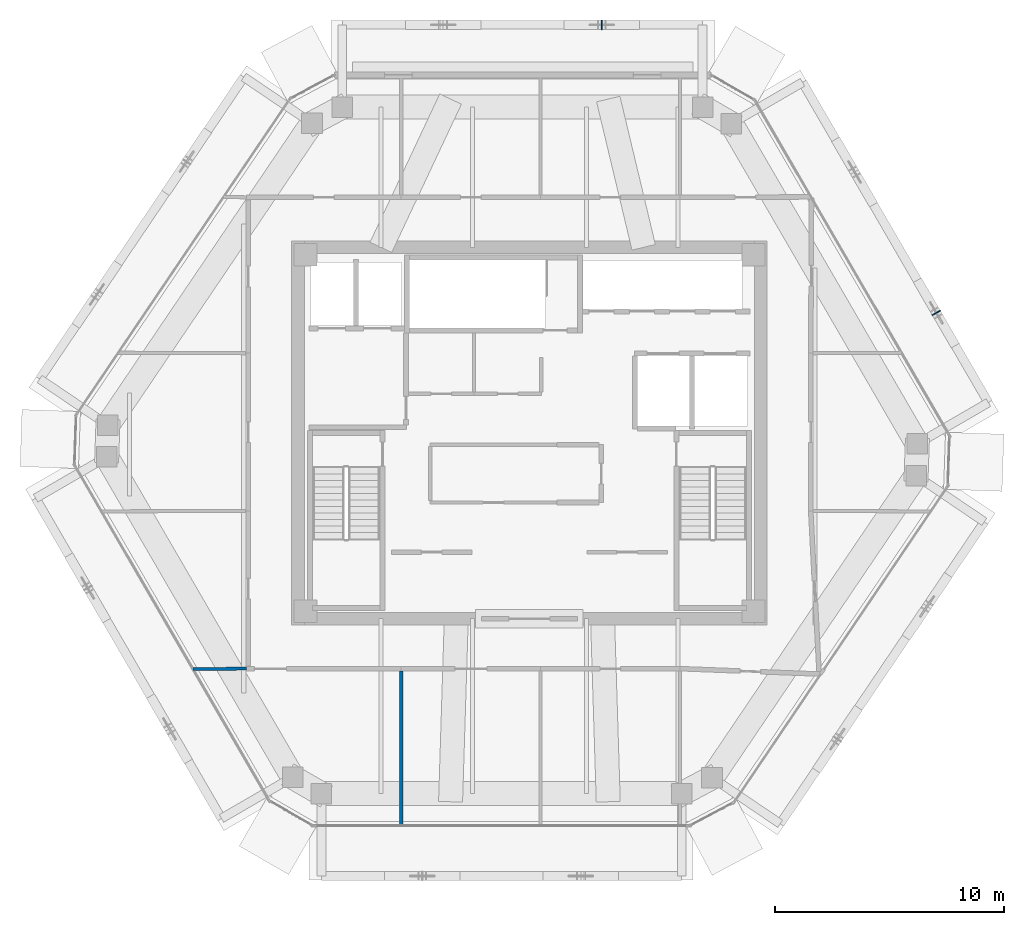
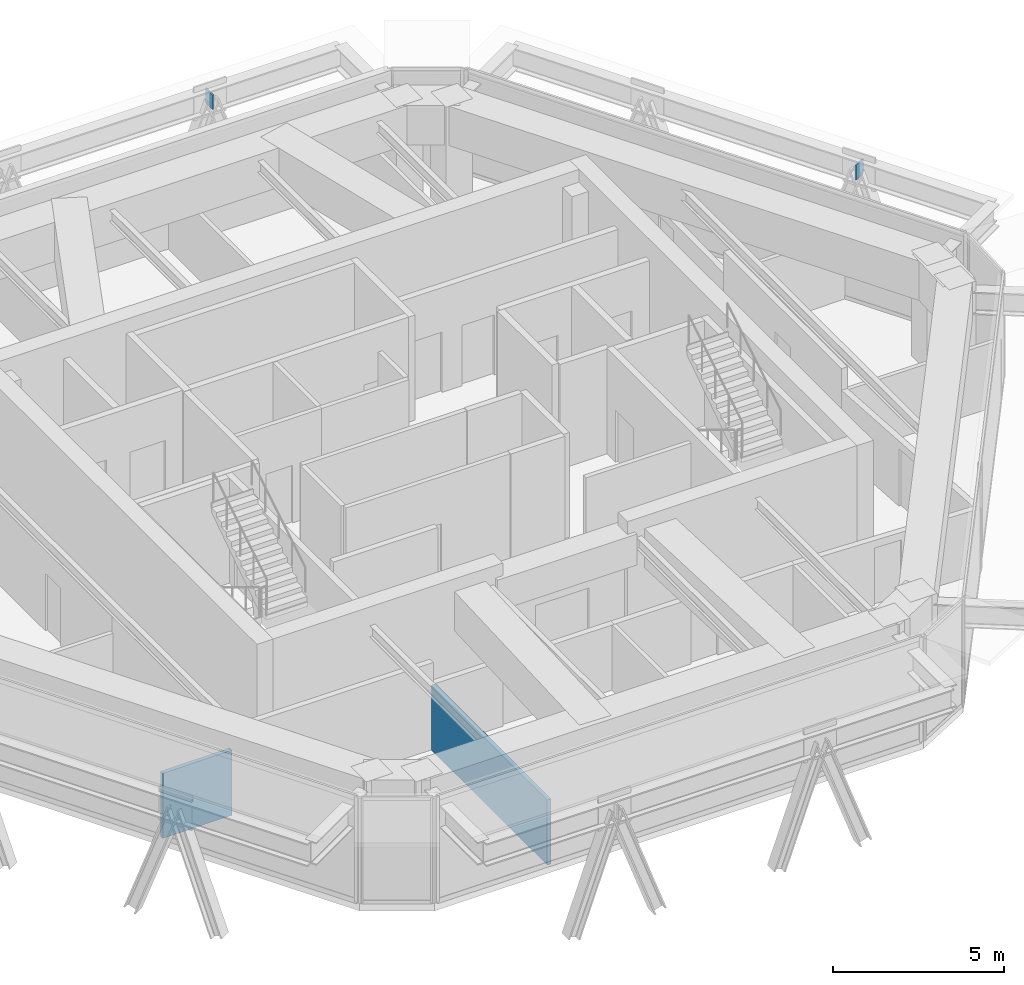
# One storey, part 9 of 13: 2 plates, 2 walls.
"""IFC4 building model written with IfcOpenShell, lengths in metres."""

from ifc_helpers import new_model, si_unit, direction, frame, frame_2d, origin, origin_2d, place, context, subcontext, project, spatial, rectangle, extrude, source, transform, mapped, material, layer, layer_set, type_object, type_shapes, element, save


model = new_model("IFC4")

# Units and contexts
model_context = context("Model", 3, precision=1e-05, world=origin(), true_north=direction((0.0, 1.0)))
body_context = subcontext(model_context, "Body", "Model", "MODEL_VIEW")
ifc_project = project(units=[si_unit("LENGTHUNIT", "METRE"), si_unit("AREAUNIT", "SQUARE_METRE"), si_unit("VOLUMEUNIT", "CUBIC_METRE"), si_unit("PLANEANGLEUNIT", "RADIAN"), si_unit("MASSUNIT", "GRAM", prefix="KILO")], contexts=[model_context])

# Site, building, storey
site_placement = place(None, origin())
site = spatial("IfcSite", under=ifc_project, at=site_placement, CompositionType="ELEMENT")
building_placement = place(site_placement, origin())
building = spatial("IfcBuilding", under=site, at=building_placement, Name="Durnholm Broadcast Tower", CompositionType="ELEMENT")
storey_placement = place(building_placement, frame((0.0, 0.0, 268.300048828125)))
storey = spatial("IfcBuildingStorey", under=building, at=storey_placement, Name="L75", CompositionType="ELEMENT", Elevation=268.300048828125)

# Plates
ifc_material_1 = material(Name="Steel ASTM A572 Grade 50", Category="steel")
ifc_layer_1 = layer(ifc_material_1, 0.044921875)
ifc_layer_set_1 = layer_set([ifc_layer_1], Name="Steel ASTM A572 Grade 50")
plate_type = type_object("IfcPlateType", Name="PLT-KN-STIF", PredefinedType="SHEET", material=ifc_layer_set_1)
shared_shape = source(origin(), body_context, "Body", "SweptSolid", [
    extrude(rectangle(XDim=0.044921875, YDim=0.419921875, at=origin_2d()), origin(), (0.0, 0.0, 1.0), 0.52001953125),
])
type_shapes(plate_type, [shared_shape])
for number, where, z_axis, x_axis, name in (
    (1, (17.806640625, 5.2548828125, 2.738525390625), (0.0, 0.0, 1.0), (-0.501963660617, 0.864888711581, 0.0), "L75 welded diagrid node stiffener plate F3"),
    (2, (3.164794921875, 17.862060546875, 2.738525390625), (0.0, 0.0, 1.0), (-1.0, 0.0, 0.0), "L75 welded diagrid node stiffener plate F4"),
):
    element("IfcPlate", number, at=place(storey_placement, frame(where, z_axis=z_axis, x_axis=x_axis)), inside=storey, type_object=plate_type, Name=name, PredefinedType="SHEET", context=body_context, shape_type="MappedRepresentation", body=[
        mapped(shared_shape, transform((0.0, 0.0, 0.0), x_axis=(1.0, 0.0, 0.0), y_axis=(0.0, 1.0, 0.0), z_axis=(0.0, 0.0, 1.0), scale=1.0)),
    ])

# Walls
ifc_material_2 = material(Name="Gypsum Metal Stud Partition", Category="concrete")
ifc_layer_2 = layer(ifc_material_2, 0.135009765625)
ifc_layer_set_2 = layer_set([ifc_layer_2], Name="Gypsum Metal Stud Partition")
wall_type = type_object("IfcWallType", Name="WALL-PART-135", PredefinedType="PARTITIONING", material=ifc_layer_set_2)
wall_1_placement = place(storey_placement, frame((-5.610107421875, -10.4140625, 0.0), z_axis=(0.0, 0.0, 1.0), x_axis=(0.0, -1.0, 0.0)))
element("IfcWall", 3, at=wall_1_placement, inside=storey, type_object=wall_type, Name="L75 room dividing partition 11.12", PredefinedType="PARTITIONING", context=body_context, shape_type="SweptSolid", body=[
    extrude(rectangle(XDim=6.77197265625, YDim=0.135009765625, at=frame_2d((3.385986328125, 0.0))), origin(), (0.0, 0.0, 1.0), 2.320068359375),
])
wall_2_placement = place(storey_placement, frame((-14.72607421875, -10.330078125, 0.0), z_axis=(0.0, 0.0, 1.0), x_axis=(0.99996592241, 0.008255544766, 0.0)))
element("IfcWall", 4, at=wall_2_placement, inside=storey, type_object=wall_type, Name="L75 room dividing partition 11.18", PredefinedType="PARTITIONING", context=body_context, shape_type="SweptSolid", body=[
    extrude(rectangle(XDim=2.336181640625, YDim=0.135009765625, at=frame_2d((1.16796875, 0.0))), origin(), (0.0, 0.0, 1.0), 2.320068359375),
])

save(model, "model.ifc")
